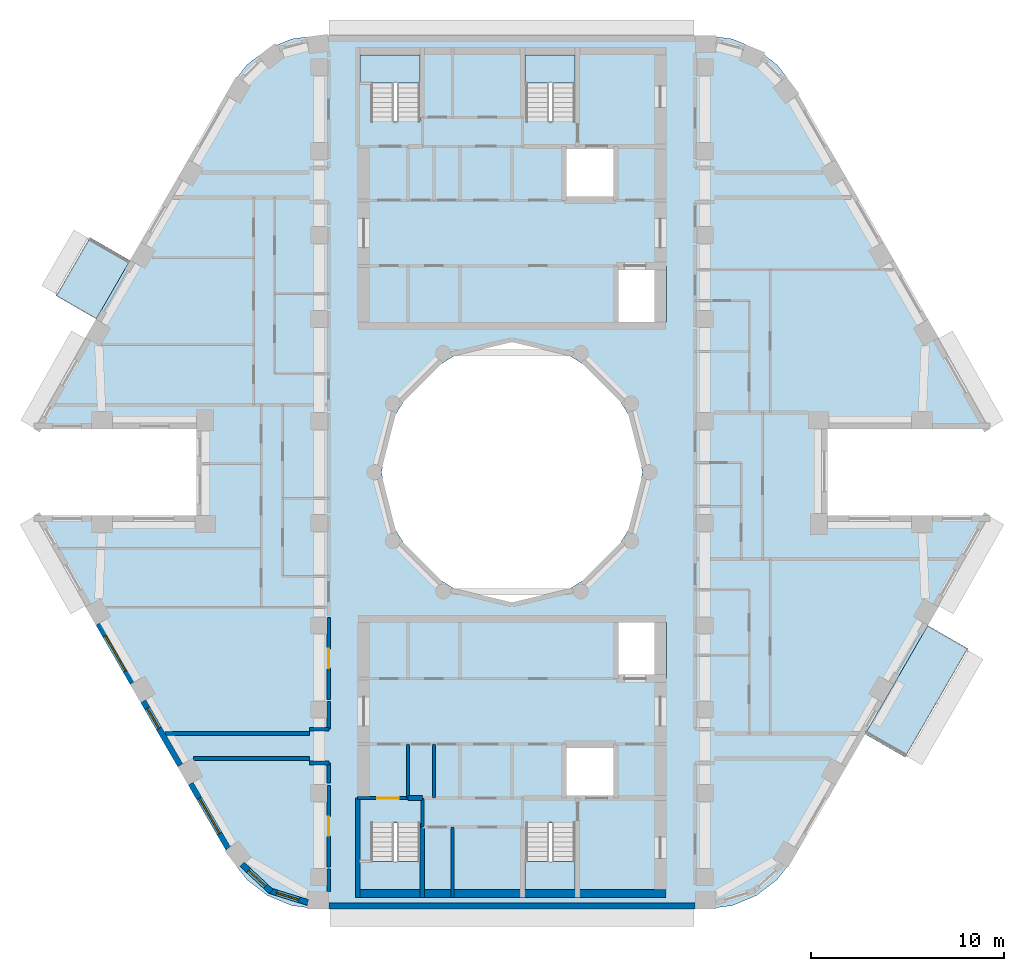
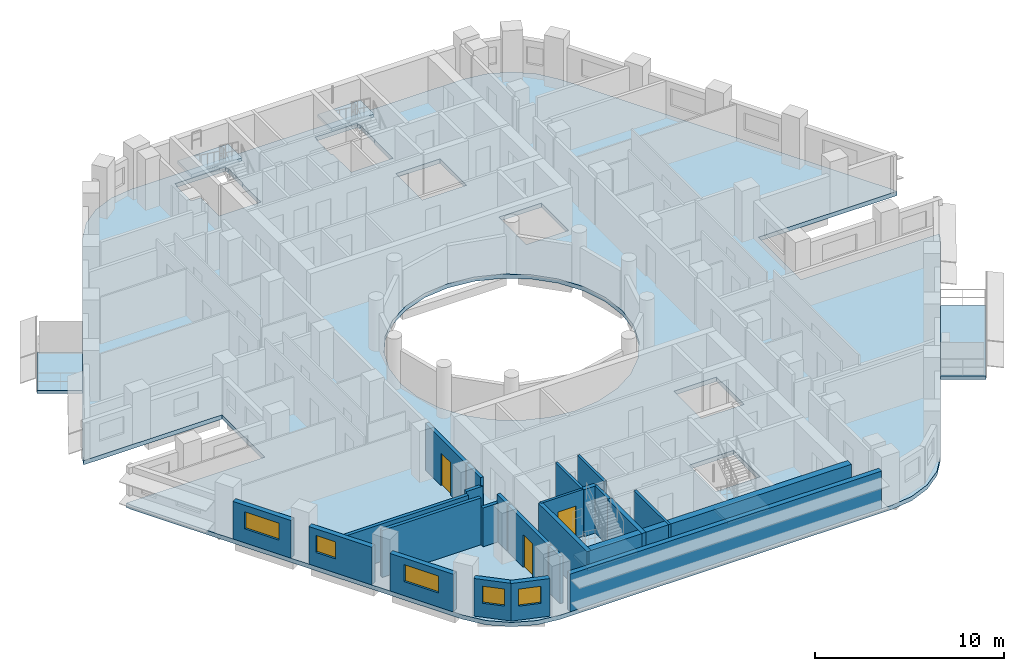
# One storey, part 2 of 14: 24 walls, 7 slabs, 5 windows, 3 doors, 8 openings, 4 elements without a shape of their own.
"""IFC4 building model written with IfcOpenShell, lengths in metres."""

from ifc_helpers import new_model, si_unit, direction, frame, frame_2d, origin, place, context, subcontext, project, spatial, polyline, rectangle, outline, extrude, material, layer, layer_set, type_object, element, fill, aggregate, save


model = new_model("IFC4")

# Units and contexts
model_context = context("Model", 3, precision=1e-05, world=origin(), true_north=direction((0.0, 1.0)))
body_context = subcontext(model_context, "Body", "Model", "MODEL_VIEW")
ifc_project = project(units=[si_unit("LENGTHUNIT", "METRE"), si_unit("AREAUNIT", "SQUARE_METRE"), si_unit("VOLUMEUNIT", "CUBIC_METRE"), si_unit("PLANEANGLEUNIT", "RADIAN"), si_unit("MASSUNIT", "GRAM", prefix="KILO")], contexts=[model_context])

# Site, building, storey
site_placement = place(None, origin())
site = spatial("IfcSite", under=ifc_project, at=site_placement, CompositionType="ELEMENT")
building_placement = place(site_placement, origin())
building = spatial("IfcBuilding", under=site, at=building_placement, Name="Nakaniwa Court", CompositionType="ELEMENT")
storey_placement = place(building_placement, frame((0.0, 0.0, 262.5)))
storey = spatial("IfcBuildingStorey", under=building, at=storey_placement, Name="L69", CompositionType="ELEMENT", Elevation=262.5)

# Slabs
ifc_material_1 = material(Name="Charcoal ceramic paver")
ifc_layer_1 = layer(ifc_material_1, 0.02, Name="Ceramic paver")
ifc_material_2 = material(Name="Cement sand screed")
ifc_layer_2 = layer(ifc_material_2, 0.03, Name="Falls screed")
ifc_material_3 = material(Name="Concrete C40/50", Category="concrete")
ifc_layer_3 = layer(ifc_material_3, 0.15, Name="Balcony slab")
ifc_layer_set_1 = layer_set([ifc_layer_1, ifc_layer_2, ifc_layer_3], Name="Concrete C40/50 balcony slab with ceramic paver finish")
slab_type_1 = type_object("IfcSlabType", Name="Balcony slab 200", PredefinedType="FLOOR", material=ifc_layer_set_1)
slab_1_placement = place(storey_placement, frame((0.0, 0.0, -0.25)))
element("IfcSlab", 1, at=slab_1_placement, inside=storey, type_object=slab_type_1, Name="L69 balcony 01", PredefinedType="FLOOR", context=body_context, shape_type="SweptSolid", body=[
    extrude(outline(polyline([(60.185791015625, 90.981201171875), (58.436279296875, 87.95068359375), (56.35791015625, 89.15087890625), (58.107421875, 92.18115234375), (60.185791015625, 90.981201171875)])), origin(), (0.0, 0.0, 1.0), 0.199951171875),
])
slab_2_placement = place(storey_placement, frame((0.0, 0.0, -0.25)))
element("IfcSlab", 2, at=slab_2_placement, inside=storey, type_object=slab_type_1, Name="L69 balcony 02", PredefinedType="FLOOR", context=body_context, shape_type="SweptSolid", body=[
    extrude(outline(polyline([(98.314208984375, 66.4208984375), (101.563720703125, 72.04931640625), (103.64208984375, 70.84912109375), (100.392578125, 65.220703125), (98.314208984375, 66.4208984375)])), origin(), (0.0, 0.0, 1.0), 0.199951171875),
])
ifc_material_4 = material(Name="Concrete C80/100", Category="concrete")
ifc_layer_4 = layer(ifc_material_4, 0.27490234375)
ifc_layer_set_2 = layer_set([ifc_layer_4], Name="Concrete C80/100")
slab_type_2 = type_object("IfcSlabType", Name="Concrete C80/100 post tensioned floor slab 275", PredefinedType="FLOOR", material=ifc_layer_set_2)
slab_3_placement = place(storey_placement, frame((0.0, 0.0, -0.27490234375)))
element("IfcSlab", 3, at=slab_3_placement, inside=storey, type_object=slab_type_2, Name="FLOOR SLAB", PredefinedType="FLOOR", context=body_context, shape_type="SweptSolid", body=[
    extrude(outline(polyline([(96.349609375, 82.25), (104.7978515625, 82.25), (104.65283203125, 82.60009765625), (94.578125, 100.050048828125), (93.751708984375, 101.126953125), (92.6748046875, 101.953369140625), (91.420654296875, 102.472900390625), (90.07470703125, 102.64990234375), (69.92529296875, 102.64990234375), (68.579345703125, 102.472900390625), (67.3251953125, 101.953369140625), (66.248291015625, 101.126953125), (65.421875, 100.050048828125), (55.34716796875, 82.60009765625), (55.2021484375, 82.25), (63.650390625, 82.25), (63.650390625, 77.75), (55.2021484375, 77.75), (55.34716796875, 77.39990234375), (65.421875, 59.949951171875), (66.248291015625, 58.873046875), (67.3251953125, 58.046630859375), (68.579345703125, 57.527099609375), (69.92529296875, 57.35009765625), (90.07470703125, 57.35009765625), (91.420654296875, 57.527099609375), (92.6748046875, 58.046630859375), (93.751708984375, 58.873046875), (94.578125, 59.949951171875), (104.65283203125, 77.39990234375), (104.7978515625, 77.75), (96.349609375, 77.75), (96.349609375, 82.25)]), holes=[polyline([(81.501953125, 86.580810546875), (80.0, 86.75), (78.498046875, 86.580810546875), (77.0712890625, 86.08154296875), (75.79150390625, 85.27734375), (74.72265625, 84.20849609375), (73.91845703125, 82.9287109375), (73.419189453125, 81.501953125), (73.25, 80.0), (73.419189453125, 78.498046875), (73.91845703125, 77.0712890625), (74.72265625, 75.79150390625), (75.79150390625, 74.72265625), (77.0712890625, 73.91845703125), (78.498046875, 73.419189453125), (80.0, 73.25), (81.501953125, 73.419189453125), (82.9287109375, 73.91845703125), (84.20849609375, 74.72265625), (85.27734375, 75.79150390625), (86.08154296875, 77.0712890625), (86.580810546875, 78.498046875), (86.75, 80.0), (86.580810546875, 81.501953125), (86.08154296875, 82.9287109375), (85.27734375, 84.20849609375), (84.20849609375, 85.27734375), (82.9287109375, 86.08154296875), (81.501953125, 86.580810546875)]), polyline([(72.675048828125, 61.81005859375), (72.675048828125, 59.864990234375), (72.0849609375, 59.864990234375), (72.0849609375, 58.31005859375), (72.125, 58.31005859375), (72.125, 58.074951171875), (75.22509765625, 58.074951171875), (75.22509765625, 58.31005859375), (75.264892578125, 58.31005859375), (75.264892578125, 59.864990234375), (75.22509765625, 59.864990234375), (75.22509765625, 61.81005859375), (72.675048828125, 61.81005859375)]), polyline([(83.27490234375, 61.81005859375), (80.72509765625, 61.81005859375), (80.72509765625, 59.864990234375), (80.635009765625, 59.864990234375), (80.635009765625, 58.31005859375), (80.675048828125, 58.31005859375), (80.675048828125, 58.074951171875), (83.27490234375, 58.074951171875), (83.27490234375, 58.31005859375), (83.31494140625, 58.31005859375), (83.31494140625, 59.864990234375), (83.27490234375, 59.864990234375), (83.27490234375, 61.81005859375)]), polyline([(75.264892578125, 101.68994140625), (75.22509765625, 101.68994140625), (75.22509765625, 101.925048828125), (72.125, 101.925048828125), (72.125, 101.68994140625), (72.0849609375, 101.68994140625), (72.0849609375, 100.135009765625), (72.675048828125, 100.135009765625), (72.675048828125, 98.18994140625), (75.22509765625, 98.18994140625), (75.22509765625, 100.135009765625), (75.264892578125, 100.135009765625), (75.264892578125, 101.68994140625)]), polyline([(83.31494140625, 100.135009765625), (83.31494140625, 101.68994140625), (83.27490234375, 101.68994140625), (83.27490234375, 101.925048828125), (80.675048828125, 101.925048828125), (80.675048828125, 101.68994140625), (80.635009765625, 101.68994140625), (80.635009765625, 100.135009765625), (80.72509765625, 100.135009765625), (80.72509765625, 98.18994140625), (83.27490234375, 98.18994140625), (83.27490234375, 100.135009765625), (83.31494140625, 100.135009765625)]), polyline([(85.39990234375, 65.89990234375), (82.699951171875, 65.89990234375), (82.699951171875, 63.10009765625), (85.39990234375, 63.10009765625), (85.39990234375, 65.89990234375)]), polyline([(88.0, 72.199951171875), (85.39990234375, 72.199951171875), (85.39990234375, 69.300048828125), (88.0, 69.300048828125), (88.0, 72.199951171875)]), polyline([(85.39990234375, 90.699951171875), (85.39990234375, 87.800048828125), (88.0, 87.800048828125), (88.0, 90.699951171875), (85.39990234375, 90.699951171875)]), polyline([(85.39990234375, 96.89990234375), (82.699951171875, 96.89990234375), (82.699951171875, 94.10009765625), (85.39990234375, 94.10009765625), (85.39990234375, 96.89990234375)])]), origin(), (0.0, 0.0, 1.0), 0.27490234375),
])

# Stair, slab
stair_type = type_object("IfcStairType", Name="Dog leg stair 1200 wide 18 risers", PredefinedType="HALF_TURN_STAIR", material=ifc_material_4)
stair_1_placement = place(storey_placement, origin())
stair_1 = element("IfcStair", 4, at=stair_1_placement, inside=storey, type_object=stair_type, Name="L69 Stair ST1", PredefinedType="HALF_TURN_STAIR")
ifc_layer_5 = layer(ifc_material_4, 0.199951171875)
ifc_layer_set_3 = layer_set([ifc_layer_5], Name="Concrete C80/100")
slab_type_3 = type_object("IfcSlabType", Name="Stair landing concrete", PredefinedType="LANDING", material=ifc_layer_set_3)
slab_4_placement = place(storey_placement, frame((0.0, 0.0, 1.449951171875)))
slab_4 = element("IfcSlab", 5, at=slab_4_placement, type_object=slab_type_3, Name="ST1 landing 1", PredefinedType="LANDING", context=body_context, shape_type="SweptSolid", body=[
    extrude(outline(polyline([(75.22509765625, 100.175048828125), (75.22509765625, 101.64990234375), (72.125, 101.64990234375), (72.125, 100.175048828125), (75.22509765625, 100.175048828125)])), origin(), (0.0, 0.0, 1.0), 0.199951171875),
])
aggregate(stair_1, [slab_4])

stair_2_placement = place(storey_placement, origin())
stair_2 = element("IfcStair", 6, at=stair_2_placement, inside=storey, type_object=stair_type, Name="L69 Stair ST2", PredefinedType="HALF_TURN_STAIR")
slab_5_placement = place(storey_placement, frame((0.0, 0.0, 1.449951171875)))
slab_5 = element("IfcSlab", 7, at=slab_5_placement, type_object=slab_type_3, Name="ST2 landing 1", PredefinedType="LANDING", context=body_context, shape_type="SweptSolid", body=[
    extrude(outline(polyline([(83.27490234375, 100.175048828125), (83.27490234375, 101.64990234375), (80.675048828125, 101.64990234375), (80.675048828125, 100.175048828125), (83.27490234375, 100.175048828125)])), origin(), (0.0, 0.0, 1.0), 0.199951171875),
])
aggregate(stair_2, [slab_5])

stair_3_placement = place(storey_placement, origin())
stair_3 = element("IfcStair", 8, at=stair_3_placement, inside=storey, type_object=stair_type, Name="L69 Stair ST3", PredefinedType="HALF_TURN_STAIR")
slab_6_placement = place(storey_placement, frame((0.0, 0.0, 1.449951171875)))
slab_6 = element("IfcSlab", 9, at=slab_6_placement, type_object=slab_type_3, Name="ST3 landing 1", PredefinedType="LANDING", context=body_context, shape_type="SweptSolid", body=[
    extrude(outline(polyline([(75.22509765625, 58.35009765625), (75.22509765625, 59.824951171875), (72.125, 59.824951171875), (72.125, 58.35009765625), (75.22509765625, 58.35009765625)])), origin(), (0.0, 0.0, 1.0), 0.199951171875),
])
aggregate(stair_3, [slab_6])

stair_4_placement = place(storey_placement, origin())
stair_4 = element("IfcStair", 10, at=stair_4_placement, inside=storey, type_object=stair_type, Name="L69 Stair ST4", PredefinedType="HALF_TURN_STAIR")
slab_7_placement = place(storey_placement, frame((0.0, 0.0, 1.449951171875)))
slab_7 = element("IfcSlab", 11, at=slab_7_placement, type_object=slab_type_3, Name="ST4 landing 1", PredefinedType="LANDING", context=body_context, shape_type="SweptSolid", body=[
    extrude(outline(polyline([(83.27490234375, 58.35009765625), (83.27490234375, 59.824951171875), (80.675048828125, 59.824951171875), (80.675048828125, 58.35009765625), (83.27490234375, 58.35009765625)])), origin(), (0.0, 0.0, 1.0), 0.199951171875),
])
aggregate(stair_4, [slab_7])

# Walls
ifc_material_5 = material(Name="Acoustic double stud partition")
ifc_layer_6 = layer(ifc_material_5, 0.199951171875)
ifc_layer_set_4 = layer_set([ifc_layer_6], Name="Acoustic double stud partition")
wall_type_1 = type_object("IfcWallType", Name="Acoustic double stud partition 200", PredefinedType="PARTITIONING", material=ifc_layer_set_4)
wall_1_placement = place(storey_placement, frame((69.5, 66.675048828125, 0.0), z_axis=(0.0, 0.0, 1.0), x_axis=(1.0, 0.0, 0.0)))
element("IfcWall", 12, at=wall_1_placement, inside=storey, type_object=wall_type_1, Name="Partition PW-076", PredefinedType="PARTITIONING", context=body_context, shape_type="SweptSolid", body=[
    extrude(rectangle(XDim=1.0, YDim=0.199951171875, at=frame_2d((0.5, 0.0))), origin(), (0.0, 0.0, 1.0), 2.5048828125),
])
wall_2_placement = place(storey_placement, frame((62.015380859375, 66.449951171875, 0.0), z_axis=(0.0, 0.0, 1.0), x_axis=(1.0, 0.0, 0.0)))
element("IfcWall", 13, at=wall_2_placement, inside=storey, type_object=wall_type_1, Name="Partition PW-078", PredefinedType="PARTITIONING", context=body_context, shape_type="SweptSolid", body=[
    extrude(rectangle(XDim=7.484619140625, YDim=0.199951171875, at=frame_2d((3.7421875, 0.0))), origin(), (0.0, 0.0, 1.0), 2.405029296875),
])
wall_3_placement = place(storey_placement, frame((63.47900390625, 65.14990234375, 0.0), z_axis=(0.0, 0.0, 1.0), x_axis=(1.0, 0.0, 0.0)))
element("IfcWall", 14, at=wall_3_placement, inside=storey, type_object=wall_type_1, Name="Partition PW-080", PredefinedType="PARTITIONING", context=body_context, shape_type="SweptSolid", body=[
    extrude(rectangle(XDim=6.02099609375, YDim=0.199951171875, at=frame_2d((3.010498046875, 0.0))), origin(), (0.0, 0.0, 1.0), 3.02490234375),
])
wall_4_placement = place(storey_placement, frame((69.5, 64.925048828125, 0.0), z_axis=(0.0, 0.0, 1.0), x_axis=(1.0, 0.0, 0.0)))
element("IfcWall", 15, at=wall_4_placement, inside=storey, type_object=wall_type_1, Name="Partition PW-082", PredefinedType="PARTITIONING", context=body_context, shape_type="SweptSolid", body=[
    extrude(rectangle(XDim=1.0, YDim=0.199951171875, at=frame_2d((0.5, 0.0))), origin(), (0.0, 0.0, 1.0), 2.5048828125),
])
wall_5_placement = place(storey_placement, frame((70.5, 58.26708984375, 0.0), z_axis=(0.0, 0.0, 1.0), x_axis=(0.0, 1.0, 0.0)))
element("IfcWall", 16, at=wall_5_placement, inside=storey, type_object=wall_type_1, Name="Partition PW-084", PredefinedType="PARTITIONING", context=body_context, shape_type="SweptSolid", body=[
    extrude(rectangle(XDim=1.14599609375, YDim=0.199951171875, at=frame_2d((0.572998046875, 0.0))), origin(), (0.0, 0.0, 1.0), 3.02490234375),
])

# Wall, opening, door
wall_6_placement = place(storey_placement, frame((70.5, 59.527099609375, 0.0), z_axis=(0.0, 0.0, 1.0), x_axis=(0.0, 1.0, 0.0)))
wall_6 = element("IfcWall", 17, at=wall_6_placement, inside=storey, type_object=wall_type_1, Name="Partition PW-085", PredefinedType="PARTITIONING", context=body_context, shape_type="SweptSolid", body=[
    extrude(rectangle(XDim=4.23583984375, YDim=0.199951171875, at=frame_2d((2.117919921875, 0.0))), origin(), (0.0, 0.0, 1.0), 3.02490234375),
])
opening_1_placement = place(wall_6_placement, frame((1.617919921875, 0.0, 0.0)))
opening_1 = element("IfcOpeningElement", 18, at=opening_1_placement, cuts=wall_6, Name="Opening D-02-06", PredefinedType="OPENING", context=body_context, shape_type="SweptSolid", body=[
    extrude(rectangle(XDim=1.0, YDim=2.10009765625, at=frame_2d((0.5, 1.050048828125))), frame((0.0, 0.10986328125, 0.0), z_axis=(0.0, -1.0, 0.0), x_axis=(1.0, 0.0, 0.0)), (0.0, 0.0, 1.0), 0.219970703125),
])
ifc_material_6 = material(Name="Solid core timber door set, black veneer", Category="wood")
door_type_1 = type_object("IfcDoorType", Name="Internal door 1000", OperationType="NOTDEFINED", PredefinedType="DOOR", material=ifc_material_6)
door_1_placement = place(opening_1_placement, origin())
door_1 = element("IfcDoor", 19, at=door_1_placement, inside=storey, type_object=door_type_1, Name="Door D-02-06 L69-058", OperationType="SINGLE_SWING_LEFT", OverallHeight=2.10009765625, OverallWidth=1.0, PredefinedType="DOOR", context=body_context, shape_type="SweptSolid", body=[
    extrude(rectangle(XDim=1.0, YDim=2.10009765625, at=frame_2d((0.5, 1.050048828125))), frame((0.0, 0.02490234375, 0.0), z_axis=(0.0, -1.0, 0.0), x_axis=(1.0, 0.0, 0.0)), (0.0, 0.0, 1.0), 0.050048828125),
])
fill(opening_1, door_1)

# Walls
wall_7_placement = place(storey_placement, frame((70.5, 63.876953125, 0.0), z_axis=(0.0, 0.0, 1.0), x_axis=(0.0, 1.0, 0.0)))
element("IfcWall", 20, at=wall_7_placement, inside=storey, type_object=wall_type_1, Name="Partition PW-086", PredefinedType="PARTITIONING", context=body_context, shape_type="SweptSolid", body=[
    extrude(rectangle(XDim=1.051025390625, YDim=0.199951171875, at=frame_2d((0.525390625, 0.0))), origin(), (0.0, 0.0, 1.0), 3.02490234375),
])
wall_8_placement = place(storey_placement, frame((70.5, 66.672119140625, 0.0), z_axis=(0.0, 0.0, 1.0), x_axis=(0.0, 1.0, 0.0)))
element("IfcWall", 21, at=wall_8_placement, inside=storey, type_object=wall_type_1, Name="Partition PW-087", PredefinedType="PARTITIONING", context=body_context, shape_type="SweptSolid", body=[
    extrude(rectangle(XDim=1.44091796875, YDim=0.199951171875, at=frame_2d((0.720458984375, 0.0))), origin(), (0.0, 0.0, 1.0), 3.02490234375),
])

# Wall, opening, door
wall_9_placement = place(storey_placement, frame((70.5, 68.22705078125, 0.0), z_axis=(0.0, 0.0, 1.0), x_axis=(0.0, 1.0, 0.0)))
wall_9 = element("IfcWall", 22, at=wall_9_placement, inside=storey, type_object=wall_type_1, Name="Partition PW-088", PredefinedType="PARTITIONING", context=body_context, shape_type="SweptSolid", body=[
    extrude(rectangle(XDim=4.23583984375, YDim=0.199951171875, at=frame_2d((2.117919921875, 0.0))), origin(), (0.0, 0.0, 1.0), 3.02490234375),
])
opening_2_placement = place(wall_9_placement, frame((1.617919921875, 0.0, 0.0)))
opening_2 = element("IfcOpeningElement", 23, at=opening_2_placement, cuts=wall_9, Name="Opening D-02-01", PredefinedType="OPENING", context=body_context, shape_type="SweptSolid", body=[
    extrude(rectangle(XDim=1.0, YDim=2.10009765625, at=frame_2d((0.5, 1.050048828125))), frame((0.0, 0.10986328125, 0.0), z_axis=(0.0, -1.0, 0.0), x_axis=(1.0, 0.0, 0.0)), (0.0, 0.0, 1.0), 0.219970703125),
])
door_2_placement = place(opening_2_placement, origin())
door_2 = element("IfcDoor", 24, at=door_2_placement, inside=storey, type_object=door_type_1, Name="Door D-02-01 L69-041", OperationType="SINGLE_SWING_RIGHT", OverallHeight=2.10009765625, OverallWidth=1.0, PredefinedType="DOOR", context=body_context, shape_type="SweptSolid", body=[
    extrude(rectangle(XDim=1.0, YDim=2.10009765625, at=frame_2d((0.5, 1.050048828125))), frame((0.0, 0.02490234375, 0.0), z_axis=(0.0, -1.0, 0.0), x_axis=(1.0, 0.0, 0.0)), (0.0, 0.0, 1.0), 0.050048828125),
])
fill(opening_2, door_2)

# Wall, opening, window
ifc_material_7 = material(Name="Charcoal ceramic cladding")
ifc_layer_7 = layer(ifc_material_7, 0.02, Name="Ceramic cladding")
ifc_material_8 = material(Name="Ventilated air cavity")
ifc_layer_8 = layer(ifc_material_8, 0.04, ventilated=True, Name="Ventilated cavity")
ifc_material_9 = material(Name="Mineral wool insulation")
ifc_layer_9 = layer(ifc_material_9, 0.1, Name="Insulation")
ifc_material_10 = material(Name="Cement bonded sheathing board")
ifc_layer_10 = layer(ifc_material_10, 0.012, Name="Sheathing")
ifc_material_11 = material(Name="Cold-formed galvanised stud frame with mineral wool infill")
ifc_layer_11 = layer(ifc_material_11, 0.1, Name="Stud frame")
ifc_material_12 = material(Name="Fire-rated gypsum plasterboard lining")
ifc_layer_12 = layer(ifc_material_12, 0.028, Name="Lining")
ifc_layer_set_5 = layer_set([ifc_layer_7, ifc_layer_8, ifc_layer_9, ifc_layer_10, ifc_layer_11, ifc_layer_12], Name="Charcoal ceramic faced external wall system")
wall_type_2 = type_object("IfcWallType", Name="Black ceramic faced external wall 300", PredefinedType="SOLIDWALL", material=ifc_layer_set_5)
wall_10_placement = place(storey_placement, frame((58.55419921875, 72.14501953125, 0.0), z_axis=(0.0, 0.0, 1.0), x_axis=(0.500010404316, -0.866019396766, 0.0)))
wall_10 = element("IfcWall", 25, at=wall_10_placement, inside=storey, type_object=wall_type_2, Name="L69 external wall 21", PredefinedType="SOLIDWALL", context=body_context, shape_type="SweptSolid", body=[
    extrude(rectangle(XDim=3.54736328125, YDim=0.300048828125, at=frame_2d((1.773681640625, 0.0))), origin(), (0.0, 0.0, 1.0), 2.425048828125),
])
opening_3_placement = place(wall_10_placement, frame((0.723388671875, 0.0, 0.89990234375)))
opening_3 = element("IfcOpeningElement", 26, at=opening_3_placement, cuts=wall_10, Name="Opening W7.21", PredefinedType="OPENING", context=body_context, shape_type="SweptSolid", body=[
    extrude(rectangle(XDim=2.10009765625, YDim=1.10009765625, at=frame_2d((1.050048828125, 0.550048828125))), frame((0.0, 0.159912109375, 0.0), z_axis=(0.0, -1.0, 0.0), x_axis=(1.0, 0.0, 0.0)), (0.0, 0.0, 1.0), 0.320068359375),
])
ifc_material_13 = material(Name="Black anodised aluminium frame with dark low-E laminated double glazing", Category="aluminium")
window_type_1 = type_object("IfcWindowType", Name="Dark glass window 2100x1100 sill 900", PartitioningType="SINGLE_PANEL", PredefinedType="WINDOW", material=ifc_material_13)
window_1_placement = place(opening_3_placement, origin())
window_1 = element("IfcWindow", 27, at=window_1_placement, inside=storey, type_object=window_type_1, Name="L69 habitable room window 21-0", OverallHeight=1.10009765625, OverallWidth=2.10009765625, PartitioningType="SINGLE_PANEL", PredefinedType="WINDOW", context=body_context, shape_type="SweptSolid", body=[
    extrude(rectangle(XDim=2.10009765625, YDim=1.10009765625, at=frame_2d((1.050048828125, 0.550048828125))), frame((0.0, 0.030029296875, 0.0), z_axis=(0.0, -1.0, 0.0), x_axis=(1.0, 0.0, 0.0)), (0.0, 0.0, 1.0), 0.06005859375),
])
fill(opening_3, window_1)

wall_11_placement = place(storey_placement, frame((60.873779296875, 68.12744140625, 0.0), z_axis=(0.0, 0.0, 1.0), x_axis=(0.499984490703, -0.866034357896, 0.0)))
wall_11 = element("IfcWall", 28, at=wall_11_placement, inside=storey, type_object=wall_type_2, Name="L69 external wall 22", PredefinedType="SOLIDWALL", context=body_context, shape_type="SweptSolid", body=[
    extrude(rectangle(XDim=3.84423828125, YDim=0.300048828125, at=frame_2d((1.922119140625, 0.0))), origin(), (0.0, 0.0, 1.0), 2.425048828125),
])
opening_4_placement = place(wall_11_placement, frame((0.429443359375, 0.0, 0.89990234375)))
opening_4 = element("IfcOpeningElement", 29, at=opening_4_placement, cuts=wall_11, Name="Opening W6.22", PredefinedType="OPENING", context=body_context, shape_type="SweptSolid", body=[
    extrude(rectangle(XDim=1.199951171875, YDim=1.10009765625, at=frame_2d((0.60009765625, 0.550048828125))), frame((0.0, 0.159912109375, 0.0), z_axis=(0.0, -1.0, 0.0), x_axis=(1.0, 0.0, 0.0)), (0.0, 0.0, 1.0), 0.320068359375),
])
window_type_2 = type_object("IfcWindowType", Name="Dark glass window 1200x1100 sill 900", PartitioningType="SINGLE_PANEL", PredefinedType="WINDOW", material=ifc_material_13)
window_2_placement = place(opening_4_placement, origin())
window_2 = element("IfcWindow", 30, at=window_2_placement, inside=storey, type_object=window_type_2, Name="L69 habitable room window 22-0", OverallHeight=1.10009765625, OverallWidth=1.199951171875, PartitioningType="SINGLE_PANEL", PredefinedType="WINDOW", context=body_context, shape_type="SweptSolid", body=[
    extrude(rectangle(XDim=1.199951171875, YDim=1.10009765625, at=frame_2d((0.60009765625, 0.550048828125))), frame((0.0, 0.030029296875, 0.0), z_axis=(0.0, -1.0, 0.0), x_axis=(1.0, 0.0, 0.0)), (0.0, 0.0, 1.0), 0.06005859375),
])
fill(opening_4, window_2)

wall_12_placement = place(storey_placement, frame((63.342041015625, 63.8525390625, 0.0), z_axis=(0.0, 0.0, 1.0), x_axis=(0.500011218404, -0.866018926739, 0.0)))
wall_12 = element("IfcWall", 31, at=wall_12_placement, inside=storey, type_object=wall_type_2, Name="L69 external wall 23", PredefinedType="SOLIDWALL", context=body_context, shape_type="SweptSolid", body=[
    extrude(rectangle(XDim=3.87890625, YDim=0.300048828125, at=frame_2d((1.939453125, 0.0))), origin(), (0.0, 0.0, 1.0), 2.425048828125),
])
opening_5_placement = place(wall_12_placement, frame((0.878173828125, 0.0, 0.89990234375)))
opening_5 = element("IfcOpeningElement", 32, at=opening_5_placement, cuts=wall_12, Name="Opening W7.23", PredefinedType="OPENING", context=body_context, shape_type="SweptSolid", body=[
    extrude(rectangle(XDim=2.10009765625, YDim=1.10009765625, at=frame_2d((1.050048828125, 0.550048828125))), frame((0.0, 0.159912109375, 0.0), z_axis=(0.0, -1.0, 0.0), x_axis=(1.0, 0.0, 0.0)), (0.0, 0.0, 1.0), 0.320068359375),
])
window_3_placement = place(opening_5_placement, origin())
window_3 = element("IfcWindow", 33, at=window_3_placement, inside=storey, type_object=window_type_1, Name="L69 habitable room window 23-0", OverallHeight=1.10009765625, OverallWidth=2.10009765625, PartitioningType="SINGLE_PANEL", PredefinedType="WINDOW", context=body_context, shape_type="SweptSolid", body=[
    extrude(rectangle(XDim=2.10009765625, YDim=1.10009765625, at=frame_2d((1.050048828125, 0.550048828125))), frame((0.0, 0.030029296875, 0.0), z_axis=(0.0, -1.0, 0.0), x_axis=(1.0, 0.0, 0.0)), (0.0, 0.0, 1.0), 0.06005859375),
])
fill(opening_5, window_3)

wall_13_placement = place(storey_placement, frame((65.99609375, 59.665283203125, 0.0), z_axis=(0.0, 0.0, 1.0), x_axis=(0.731942518471, -0.6813663843, 0.0)))
wall_13 = element("IfcWall", 34, at=wall_13_placement, inside=storey, type_object=wall_type_2, Name="L69 external wall 24", PredefinedType="SOLIDWALL", context=body_context, shape_type="SweptSolid", body=[
    extrude(rectangle(XDim=2.07568359375, YDim=0.300048828125, at=frame_2d((1.037841796875, 0.0))), origin(), (0.0, 0.0, 1.0), 2.425048828125),
])
opening_6_placement = place(wall_13_placement, frame((0.464111328125, 0.0, 0.89990234375)))
opening_6 = element("IfcOpeningElement", 35, at=opening_6_placement, cuts=wall_13, Name="Opening W6.24", PredefinedType="OPENING", context=body_context, shape_type="SweptSolid", body=[
    extrude(rectangle(XDim=1.199951171875, YDim=1.10009765625, at=frame_2d((0.60009765625, 0.550048828125))), frame((0.0, 0.159912109375, 0.0), z_axis=(0.0, -1.0, 0.0), x_axis=(1.0, 0.0, 0.0)), (0.0, 0.0, 1.0), 0.320068359375),
])
window_4_placement = place(opening_6_placement, origin())
window_4 = element("IfcWindow", 36, at=window_4_placement, inside=storey, type_object=window_type_2, Name="L69 habitable room window 24-0", OverallHeight=1.10009765625, OverallWidth=1.199951171875, PartitioningType="SINGLE_PANEL", PredefinedType="WINDOW", context=body_context, shape_type="SweptSolid", body=[
    extrude(rectangle(XDim=1.199951171875, YDim=1.10009765625, at=frame_2d((0.60009765625, 0.550048828125))), frame((0.0, 0.030029296875, 0.0), z_axis=(0.0, -1.0, 0.0), x_axis=(1.0, 0.0, 0.0)), (0.0, 0.0, 1.0), 0.06005859375),
])
fill(opening_6, window_4)

wall_14_placement = place(storey_placement, frame((67.406494140625, 58.3076171875, 0.0), z_axis=(0.0, 0.0, 1.0), x_axis=(0.954761314907, -0.297373219301, 0.0)))
wall_14 = element("IfcWall", 37, at=wall_14_placement, inside=storey, type_object=wall_type_2, Name="L69 external wall 25", PredefinedType="SOLIDWALL", context=body_context, shape_type="SweptSolid", body=[
    extrude(rectangle(XDim=2.096923828125, YDim=0.300048828125, at=frame_2d((1.04833984375, 0.0))), origin(), (0.0, 0.0, 1.0), 2.425048828125),
])
opening_7_placement = place(wall_14_placement, frame((0.409423828125, 0.0, 0.89990234375)))
opening_7 = element("IfcOpeningElement", 38, at=opening_7_placement, cuts=wall_14, Name="Opening W6.25", PredefinedType="OPENING", context=body_context, shape_type="SweptSolid", body=[
    extrude(rectangle(XDim=1.199951171875, YDim=1.10009765625, at=frame_2d((0.60009765625, 0.550048828125))), frame((0.0, 0.159912109375, 0.0), z_axis=(0.0, -1.0, 0.0), x_axis=(1.0, 0.0, 0.0)), (0.0, 0.0, 1.0), 0.320068359375),
])
window_5_placement = place(opening_7_placement, origin())
window_5 = element("IfcWindow", 39, at=window_5_placement, inside=storey, type_object=window_type_2, Name="L69 habitable room window 25-0", OverallHeight=1.10009765625, OverallWidth=1.199951171875, PartitioningType="SINGLE_PANEL", PredefinedType="WINDOW", context=body_context, shape_type="SweptSolid", body=[
    extrude(rectangle(XDim=1.199951171875, YDim=1.10009765625, at=frame_2d((0.60009765625, 0.550048828125))), frame((0.0, 0.030029296875, 0.0), z_axis=(0.0, -1.0, 0.0), x_axis=(1.0, 0.0, 0.0)), (0.0, 0.0, 1.0), 0.06005859375),
])
fill(opening_7, window_5)

# Walls
wall_15_placement = place(storey_placement, frame((70.500732421875, 57.5, 0.0), z_axis=(0.0, 0.0, 1.0), x_axis=(1.0, 0.0, 0.0)))
element("IfcWall", 40, at=wall_15_placement, inside=storey, type_object=wall_type_2, Name="L69 external wall 26", PredefinedType="SOLIDWALL", context=body_context, shape_type="SweptSolid", body=[
    extrude(rectangle(XDim=18.99267578125, YDim=0.300048828125, at=frame_2d((9.496337890625, 0.0))), origin(), (0.0, 0.0, 1.0), 2.425048828125),
])
ifc_material_14 = material(Name="Blockwork partition", Category="masonry")
ifc_layer_13 = layer(ifc_material_14, 0.14990234375)
ifc_layer_set_6 = layer_set([ifc_layer_13], Name="Blockwork partition")
wall_type_3 = type_object("IfcWallType", Name="Blockwork partition 150", PredefinedType="PARTITIONING", material=ifc_layer_set_6)
for number, where, z_axis, x_axis, name in (
    (41, (74.60009765625, 63.10009765625, 0.0), (0.0, 0.0, 1.0), (0.0, 1.0, 0.0), "Partition PW-029"),
    (42, (75.949951171875, 63.10009765625, 0.0), (0.0, 0.0, 1.0), (0.0, 1.0, 0.0), "Partition PW-043"),
):
    element("IfcWall", number, at=place(storey_placement, frame(where, z_axis=z_axis, x_axis=x_axis)), inside=storey, type_object=wall_type_3, Name=name, PredefinedType="PARTITIONING", context=body_context, shape_type="SweptSolid", body=[
        extrude(rectangle(XDim=2.7998046875, YDim=0.14990234375, at=frame_2d((1.39990234375, 0.0))), origin(), (0.0, 0.0, 1.0), 3.02490234375),
    ])
wall_16_placement = place(storey_placement, frame((76.909912109375, 57.949951171875, 0.0), z_axis=(0.0, 0.0, 1.0), x_axis=(0.0, 1.0, 0.0)))
element("IfcWall", 43, at=wall_16_placement, inside=storey, type_object=wall_type_3, Name="Partition PW-056", PredefinedType="PARTITIONING", context=body_context, shape_type="SweptSolid", body=[
    extrude(rectangle(XDim=3.650146484375, YDim=0.14990234375, at=frame_2d((1.8251953125, 0.0))), origin(), (0.0, 0.0, 1.0), 3.02490234375),
])

# Wall, opening, door
ifc_layer_14 = layer(ifc_material_4, 0.14990234375)
ifc_layer_set_7 = layer_set([ifc_layer_14], Name="Concrete C80/100")
wall_type_4 = type_object("IfcWallType", Name="Concrete core wall 150 C80", PredefinedType="SHEAR", material=ifc_layer_set_7)
wall_17_placement = place(storey_placement, frame((72.0, 63.10009765625, -0.27490234375), z_axis=(0.0, 0.0, 1.0), x_axis=(1.0, 0.0, 0.0)))
wall_17 = element("IfcWall", 44, at=wall_17_placement, inside=storey, type_object=wall_type_4, Name="Core wall SW-42", PredefinedType="SHEAR", context=body_context, shape_type="SweptSolid", body=[
    extrude(rectangle(XDim=2.60009765625, YDim=0.14990234375, at=frame_2d((1.300048828125, 0.0))), origin(), (0.0, 0.0, 1.0), 3.2998046875),
])
opening_8_placement = place(wall_17_placement, frame((1.02001953125, 0.0, 0.27490234375)))
opening_8 = element("IfcOpeningElement", 45, at=opening_8_placement, cuts=wall_17, Name="Opening D-09-02", PredefinedType="OPENING", context=body_context, shape_type="SweptSolid", body=[
    extrude(rectangle(XDim=1.10009765625, YDim=2.10009765625, at=frame_2d((0.550048828125, 1.050048828125))), frame((0.0, 0.0849609375, 0.0), z_axis=(0.0, -1.0, 0.0), x_axis=(1.0, 0.0, 0.0)), (0.0, 0.0, 1.0), 0.169921875),
])
ifc_material_15 = material(Name="Fire rated steel door set", Category="steel")
door_type_2 = type_object("IfcDoorType", Name="Stair door 1100", OperationType="NOTDEFINED", PredefinedType="DOOR", material=ifc_material_15)
door_3_placement = place(opening_8_placement, origin())
door_3 = element("IfcDoor", 46, at=door_3_placement, inside=storey, type_object=door_type_2, Name="Door D-09-02 L69-027", OperationType="SINGLE_SWING_LEFT", OverallHeight=2.10009765625, OverallWidth=1.10009765625, PredefinedType="DOOR", context=body_context, shape_type="SweptSolid", body=[
    extrude(rectangle(XDim=1.10009765625, YDim=2.10009765625, at=frame_2d((0.550048828125, 1.050048828125))), frame((0.0, 0.02490234375, 0.0), z_axis=(0.0, -1.0, 0.0), x_axis=(1.0, 0.0, 0.0)), (0.0, 0.0, 1.0), 0.050048828125),
])
fill(opening_8, door_3)

# Walls
wall_18_placement = place(storey_placement, frame((75.35009765625, 61.596923828125, -0.27490234375), z_axis=(0.0, 0.0, 1.0), x_axis=(0.0, 1.0, 0.0)))
element("IfcWall", 47, at=wall_18_placement, inside=storey, type_object=wall_type_4, Name="Core wall SW-49", PredefinedType="SHEAR", context=body_context, shape_type="SweptSolid", body=[
    extrude(rectangle(XDim=1.503173828125, YDim=0.14990234375, at=frame_2d((0.75146484375, 0.0))), origin(), (0.0, 0.0, 1.0), 3.2998046875),
])
ifc_layer_15 = layer(ifc_material_4, 0.25)
ifc_layer_set_8 = layer_set([ifc_layer_15], Name="Concrete C80/100")
wall_type_5 = type_object("IfcWallType", Name="Concrete core wall 250 C80", PredefinedType="SHEAR", material=ifc_layer_set_8)
wall_19_placement = place(storey_placement, frame((72.0, 57.949951171875, -0.27490234375), z_axis=(0.0, 0.0, 1.0), x_axis=(0.0, 1.0, 0.0)))
element("IfcWall", 48, at=wall_19_placement, inside=storey, type_object=wall_type_5, Name="Core wall SW-51", PredefinedType="SHEAR", context=body_context, shape_type="SweptSolid", body=[
    extrude(rectangle(XDim=5.150146484375, YDim=0.25, at=frame_2d((2.5751953125, 0.0))), origin(), (0.0, 0.0, 1.0), 3.2998046875),
])
ifc_layer_16 = layer(ifc_material_4, 0.39990234375)
ifc_layer_set_9 = layer_set([ifc_layer_16], Name="Concrete C80/100")
wall_type_6 = type_object("IfcWallType", Name="Concrete core wall 400 C80", PredefinedType="SHEAR", material=ifc_layer_set_9)
wall_20_placement = place(storey_placement, frame((72.00390625, 58.14990234375, -0.27490234375), z_axis=(0.0, 0.0, 1.0), x_axis=(1.0, 0.0, 0.0)))
element("IfcWall", 49, at=wall_20_placement, inside=storey, type_object=wall_type_6, Name="Core wall SW-129", PredefinedType="SHEAR", context=body_context, shape_type="SweptSolid", body=[
    extrude(rectangle(XDim=15.9921875, YDim=0.39990234375, at=frame_2d((7.99609375, 0.0))), origin(), (0.0, 0.0, 1.0), 3.2998046875),
])
ifc_layer_17 = layer(ifc_material_4, 0.25)
ifc_layer_set_10 = layer_set([ifc_layer_17], Name="Concrete C80/100")
wall_type_7 = type_object("IfcWallType", Name="Concrete shaft wall 250 C80", PredefinedType="SHEAR", material=ifc_layer_set_10)
wall_21_placement = place(storey_placement, frame((74.60009765625, 63.10009765625, -0.27490234375), z_axis=(0.0, 0.0, 1.0), x_axis=(1.0, 0.0, 0.0)))
element("IfcWall", 50, at=wall_21_placement, inside=storey, type_object=wall_type_7, Name="Core wall SW-44", PredefinedType="SHEAR", context=body_context, shape_type="SweptSolid", body=[
    extrude(rectangle(XDim=0.7529296875, YDim=0.25, at=frame_2d((0.37646484375, 0.0))), origin(), (0.0, 0.0, 1.0), 3.2998046875),
])
wall_22_placement = place(storey_placement, frame((75.35009765625, 57.949951171875, -0.27490234375), z_axis=(0.0, 0.0, 1.0), x_axis=(0.0, 1.0, 0.0)))
element("IfcWall", 51, at=wall_22_placement, inside=storey, type_object=wall_type_7, Name="Core wall SW-50", PredefinedType="SHEAR", context=body_context, shape_type="SweptSolid", body=[
    extrude(rectangle(XDim=3.653076171875, YDim=0.25, at=frame_2d((1.82666015625, 0.0))), origin(), (0.0, 0.0, 1.0), 3.2998046875),
])

save(model, "model.ifc")
